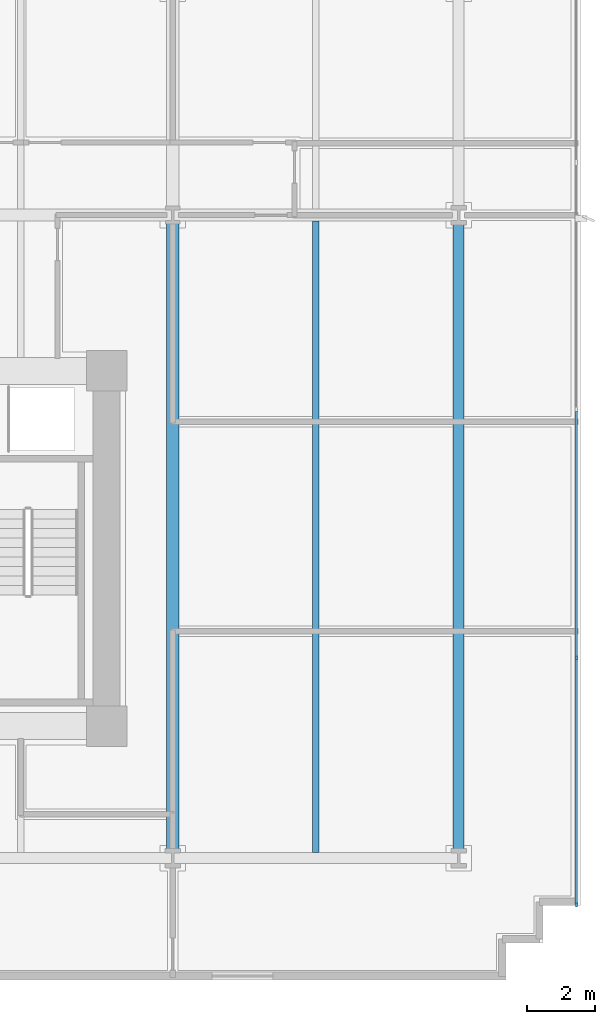
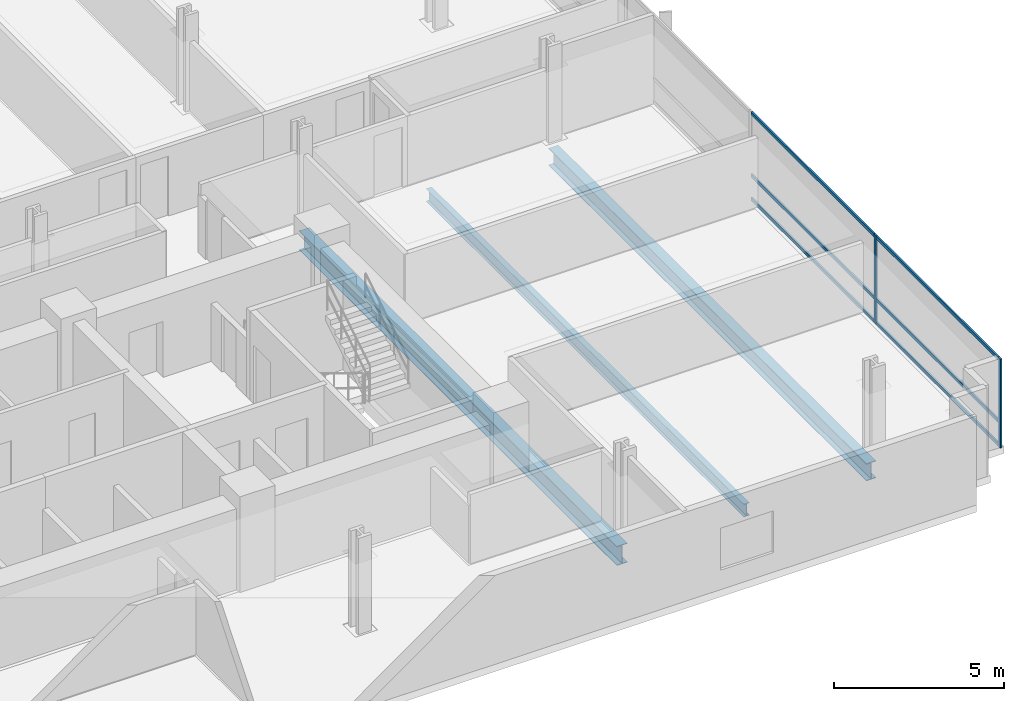
# One storey, part 6 of 21: 8 members, 3 beams, 1 element without a shape of its own.
"""IFC4 building model written with IfcOpenShell, lengths in metres."""

from ifc_helpers import new_model, si_unit, direction, frame, origin, origin_2d, place, context, subcontext, project, spatial, rectangle, i_section, extrude, material, material_profile, profile_set, type_object, element, aggregate, save


model = new_model("IFC4")

# Units and contexts
model_context = context("Model", 3, precision=1e-05, world=origin(), true_north=direction((0.0, 1.0)))
body_context = subcontext(model_context, "Body", "Model", "MODEL_VIEW")
ifc_project = project(units=[si_unit("LENGTHUNIT", "METRE"), si_unit("AREAUNIT", "SQUARE_METRE"), si_unit("VOLUMEUNIT", "CUBIC_METRE"), si_unit("PLANEANGLEUNIT", "RADIAN"), si_unit("MASSUNIT", "GRAM", prefix="KILO")], contexts=[model_context])

# Site, building, storey
site_placement = place(None, origin())
site = spatial("IfcSite", under=ifc_project, at=site_placement, CompositionType="ELEMENT")
building_placement = place(site_placement, origin())
building = spatial("IfcBuilding", under=site, at=building_placement, Name="Solmavex Isthmus Hotel", CompositionType="ELEMENT")
storey_placement = place(building_placement, frame((0.0, 0.0, 54.0)))
storey = spatial("IfcBuildingStorey", under=building, at=storey_placement, Name="L14", CompositionType="ELEMENT", Elevation=54.0)

# Beams
ifc_material_1 = material(Name="Steel ASTM A992 Grade 50", Category="steel")
ifc_material_profile_1 = material_profile(ifc_material_1, i_section(OverallWidth=0.354736328125, OverallDepth=0.695556640625, WebThickness=0.015380859375, FlangeThickness=0.02490234375, FilletRadius=0.017822265625, at=origin_2d()), Name="W27X146")
ifc_profile_set_1 = profile_set([ifc_material_profile_1], Name="Steel ASTM A992 Grade 50")
beam_type_1 = type_object("IfcBeamType", Name="BM-BG-W27X146", PredefinedType="BEAM", material=ifc_profile_set_1)
beam_1_placement = place(storey_placement, frame((17.951904296875, -16.73681640625, -0.607666015625), z_axis=(0.0, 1.0, 0.0), x_axis=(-1.0, 0.0, 0.0)))
element("IfcBeam", 1, at=beam_1_placement, inside=storey, type_object=beam_type_1, Name="Floor Beam L14-VG43", PredefinedType="BEAM", context=body_context, shape_type="SweptSolid", body=[
    extrude(i_section(OverallWidth=0.354736328125, OverallDepth=0.695556640625, WebThickness=0.015380859375, FlangeThickness=0.02490234375, FilletRadius=0.017822265625, at=origin_2d()), origin(), (0.0, 0.0, 1.0), 18.659423828125),
])
ifc_material_profile_2 = material_profile(ifc_material_1, i_section(OverallWidth=0.1904296875, OverallDepth=0.456787109375, WebThickness=0.009033203125, FlangeThickness=0.014404296875, FilletRadius=0.0126953125, at=origin_2d()), Name="W18X50")
ifc_profile_set_2 = profile_set([ifc_material_profile_2], Name="Steel ASTM A992 Grade 50")
beam_type_2 = type_object("IfcBeamType", Name="BM-BJ-W18X50", PredefinedType="JOIST", material=ifc_profile_set_2)
beam_2_placement = place(storey_placement, frame((22.176025390625, -16.73681640625, -0.488525390625), z_axis=(0.0, 1.0, 0.0), x_axis=(-1.0, 0.0, 0.0)))
element("IfcBeam", 2, at=beam_2_placement, inside=storey, type_object=beam_type_2, Name="Secondary Floor Joist L14-J20", PredefinedType="JOIST", context=body_context, shape_type="SweptSolid", body=[
    extrude(i_section(OverallWidth=0.1904296875, OverallDepth=0.456787109375, WebThickness=0.009033203125, FlangeThickness=0.014404296875, FilletRadius=0.0126953125, at=origin_2d()), origin(), (0.0, 0.0, 1.0), 18.659423828125),
])
ifc_material_profile_3 = material_profile(ifc_material_1, i_section(OverallWidth=0.326416015625, OverallDepth=0.621826171875, WebThickness=0.015380859375, FlangeThickness=0.0244140625, FilletRadius=0.01513671875, at=origin_2d()), Name="W24X131")
ifc_profile_set_3 = profile_set([ifc_material_profile_3], Name="Steel ASTM A992 Grade 50")
beam_type_3 = type_object("IfcBeamType", Name="BM-SP-W24X131", PredefinedType="SPANDREL", material=ifc_profile_set_3)
beam_3_placement = place(storey_placement, frame((26.39990234375, -16.73681640625, -0.57080078125), z_axis=(0.0, 1.0, 0.0), x_axis=(-1.0, 0.0, 0.0)))
element("IfcBeam", 3, at=beam_3_placement, inside=storey, type_object=beam_type_3, Name="Floor Beam L14-VG46", PredefinedType="SPANDREL", context=body_context, shape_type="SweptSolid", body=[
    extrude(i_section(OverallWidth=0.326416015625, OverallDepth=0.621826171875, WebThickness=0.015380859375, FlangeThickness=0.0244140625, FilletRadius=0.01513671875, at=origin_2d()), origin(), (0.0, 0.0, 1.0), 18.659423828125),
])

# Curtain wall, members
ifc_material_2 = material(Name="Aluminium alloy 6063-T6", Category="aluminium")
curtain_wall_type = type_object("IfcCurtainWallType", Name="CW-SYS-06", PredefinedType="NOTDEFINED", material=ifc_material_2)
curtain_wall_placement = place(storey_placement, origin())
curtain_wall = element("IfcCurtainWall", 4, at=curtain_wall_placement, inside=storey, type_object=curtain_wall_type, Name="Stick Curtain Wall CWL-L14-E1", PredefinedType="NOTDEFINED")
ifc_material_profile_4 = material_profile(ifc_material_2, rectangle(XDim=0.06005859375, YDim=0.139892578125, at=origin_2d()), Name="CWM-60X140")
ifc_profile_set_4 = profile_set([ifc_material_profile_4], Name="Aluminium alloy 6063-T6")
member_type_1 = type_object("IfcMemberType", Name="CW-SYS-06-MUL", PredefinedType="MULLION", material=ifc_profile_set_4)
member_1_placement = place(storey_placement, frame((29.8798828125, -18.27001953125, 0.0), z_axis=(0.0, 0.0, 1.0), x_axis=(-1.0, 0.0, 0.0)))
member_1 = element("IfcMember", 5, at=member_1_placement, type_object=member_type_1, Name="CW-06 mullion 1", PredefinedType="MULLION", context=body_context, shape_type="SweptSolid", body=[
    extrude(rectangle(XDim=0.06005859375, YDim=0.139892578125, at=origin_2d()), origin(), (0.0, 0.0, 1.0), 3.18994140625),
])
member_2_placement = place(storey_placement, frame((29.8798828125, -10.97998046875, 0.0), z_axis=(0.0, 0.0, 1.0), x_axis=(-1.0, 0.0, 0.0)))
member_2 = element("IfcMember", 6, at=member_2_placement, type_object=member_type_1, Name="CW-06 mullion 2", PredefinedType="MULLION", context=body_context, shape_type="SweptSolid", body=[
    extrude(rectangle(XDim=0.06005859375, YDim=0.139892578125, at=origin_2d()), origin(), (0.0, 0.0, 1.0), 3.18994140625),
])
ifc_material_profile_5 = material_profile(ifc_material_2, rectangle(XDim=0.06005859375, YDim=0.114990234375, at=origin_2d()), Name="CWT-60X115")
ifc_profile_set_5 = profile_set([ifc_material_profile_5], Name="Aluminium alloy 6063-T6")
member_type_2 = type_object("IfcMemberType", Name="CW-SYS-06-TRN", PredefinedType="USERDEFINED", material=ifc_profile_set_5)
member_3_placement = place(storey_placement, frame((29.8798828125, -18.239990234375, 0.0576171875), z_axis=(0.0, 1.0, 0.0), x_axis=(-1.0, 0.0, 0.0)))
member_3 = element("IfcMember", 7, at=member_3_placement, type_object=member_type_2, Name="CW-06 transom 1.1", ObjectType="TRANSOM", PredefinedType="USERDEFINED", context=body_context, shape_type="SweptSolid", body=[
    extrude(rectangle(XDim=0.06005859375, YDim=0.114990234375, at=origin_2d()), origin(), (0.0, 0.0, 1.0), 7.22998046875),
])
member_4_placement = place(storey_placement, frame((29.8798828125, -18.239990234375, 0.89990234375), z_axis=(0.0, 1.0, 0.0), x_axis=(-1.0, 0.0, 0.0)))
member_4 = element("IfcMember", 8, at=member_4_placement, type_object=member_type_2, Name="CW-06 transom 1.2", ObjectType="TRANSOM", PredefinedType="USERDEFINED", context=body_context, shape_type="SweptSolid", body=[
    extrude(rectangle(XDim=0.06005859375, YDim=0.114990234375, at=origin_2d()), origin(), (0.0, 0.0, 1.0), 7.22998046875),
])
member_5_placement = place(storey_placement, frame((29.8798828125, -18.239990234375, 3.132568359375), z_axis=(0.0, 1.0, 0.0), x_axis=(-1.0, 0.0, 0.0)))
member_5 = element("IfcMember", 9, at=member_5_placement, type_object=member_type_2, Name="CW-06 transom 1.3", ObjectType="TRANSOM", PredefinedType="USERDEFINED", context=body_context, shape_type="SweptSolid", body=[
    extrude(rectangle(XDim=0.06005859375, YDim=0.114990234375, at=origin_2d()), origin(), (0.0, 0.0, 1.0), 7.22998046875),
])
member_6_placement = place(storey_placement, frame((29.8798828125, -10.949951171875, 0.0576171875), z_axis=(0.0, 1.0, 0.0), x_axis=(-1.0, 0.0, 0.0)))
member_6 = element("IfcMember", 10, at=member_6_placement, type_object=member_type_2, Name="CW-06 transom 2.1", ObjectType="TRANSOM", PredefinedType="USERDEFINED", context=body_context, shape_type="SweptSolid", body=[
    extrude(rectangle(XDim=0.06005859375, YDim=0.114990234375, at=origin_2d()), origin(), (0.0, 0.0, 1.0), 7.260009765625),
])
member_7_placement = place(storey_placement, frame((29.8798828125, -10.949951171875, 0.89990234375), z_axis=(0.0, 1.0, 0.0), x_axis=(-1.0, 0.0, 0.0)))
member_7 = element("IfcMember", 11, at=member_7_placement, type_object=member_type_2, Name="CW-06 transom 2.2", ObjectType="TRANSOM", PredefinedType="USERDEFINED", context=body_context, shape_type="SweptSolid", body=[
    extrude(rectangle(XDim=0.06005859375, YDim=0.114990234375, at=origin_2d()), origin(), (0.0, 0.0, 1.0), 7.260009765625),
])
member_8_placement = place(storey_placement, frame((29.8798828125, -10.949951171875, 3.132568359375), z_axis=(0.0, 1.0, 0.0), x_axis=(-1.0, 0.0, 0.0)))
member_8 = element("IfcMember", 12, at=member_8_placement, type_object=member_type_2, Name="CW-06 transom 2.3", ObjectType="TRANSOM", PredefinedType="USERDEFINED", context=body_context, shape_type="SweptSolid", body=[
    extrude(rectangle(XDim=0.06005859375, YDim=0.114990234375, at=origin_2d()), origin(), (0.0, 0.0, 1.0), 7.260009765625),
])
aggregate(curtain_wall, [member_1, member_2, member_3, member_4, member_5, member_6, member_7, member_8])

save(model, "model.ifc")
